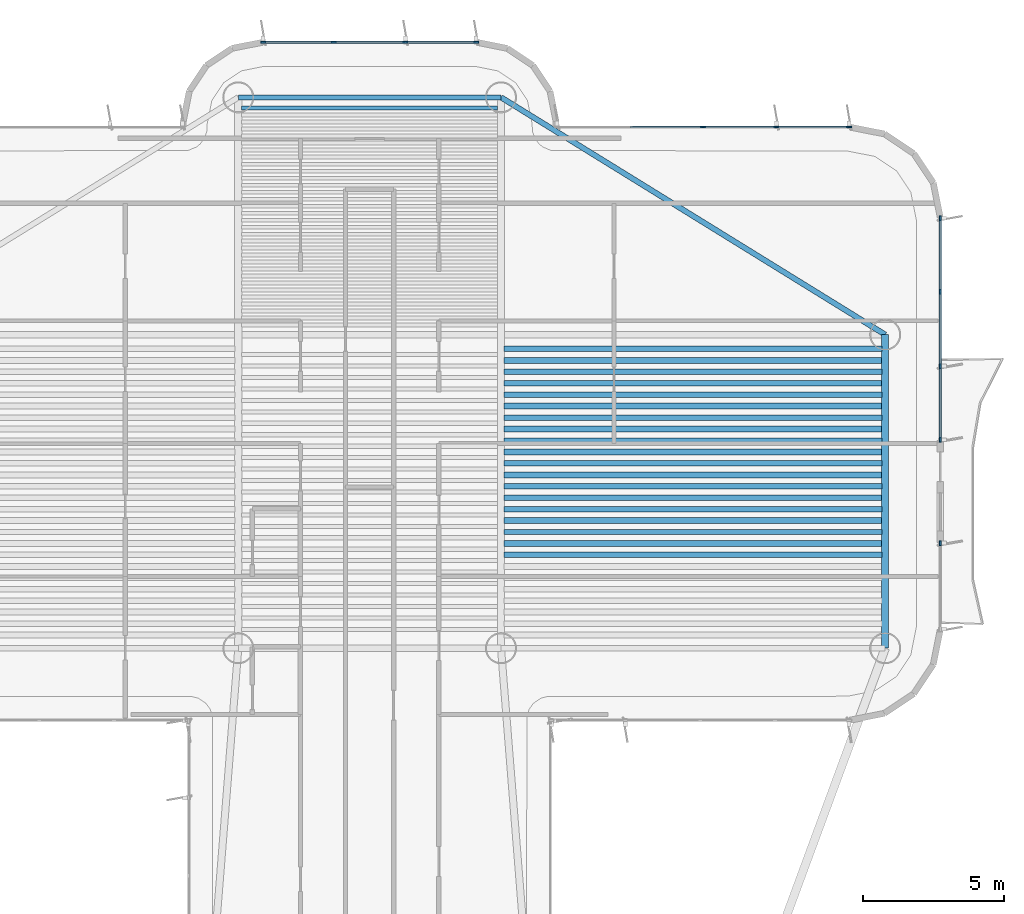
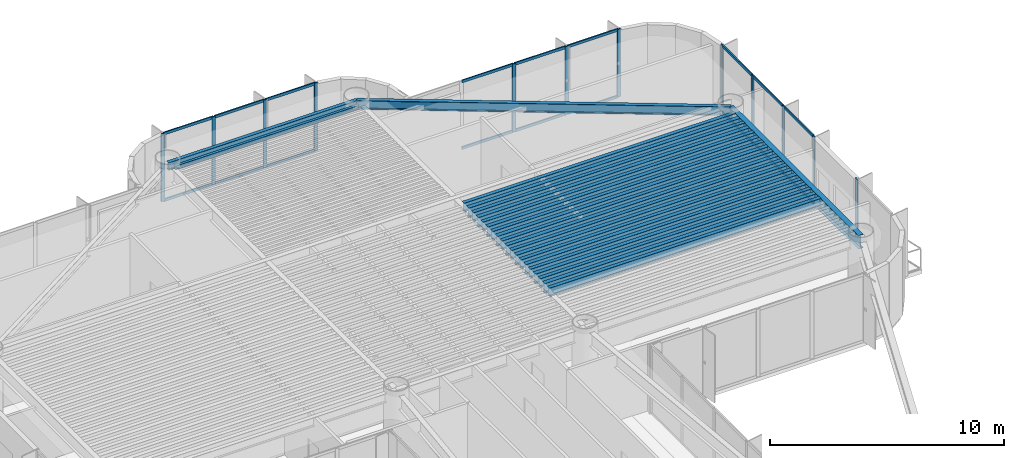
# One storey, part 7 of 14: 30 members, 23 beams, 4 elements without a shape of their own.
"""IFC4 building model written with IfcOpenShell, lengths in metres."""

from ifc_helpers import new_model, si_unit, direction, frame, origin, origin_2d, place, context, subcontext, project, spatial, rectangle, i_section, extrude, source, transform, mapped, material, layer, layer_set, material_profile, profile_set, type_object, element, aggregate, save


model = new_model("IFC4")

# Units and contexts
model_context = context("Model", 3, precision=1e-05, world=origin(), true_north=direction((0.0, 1.0)))
body_context = subcontext(model_context, "Body", "Model", "MODEL_VIEW")
ifc_project = project(units=[si_unit("LENGTHUNIT", "METRE"), si_unit("AREAUNIT", "SQUARE_METRE"), si_unit("VOLUMEUNIT", "CUBIC_METRE"), si_unit("PLANEANGLEUNIT", "RADIAN"), si_unit("MASSUNIT", "GRAM", prefix="KILO")], contexts=[model_context])

# Site, building, storey
site_placement = place(None, origin())
site = spatial("IfcSite", under=ifc_project, at=site_placement, CompositionType="ELEMENT")
building_placement = place(site_placement, origin())
building = spatial("IfcBuilding", under=site, at=building_placement, Name="Brelvock Crest Care Tower", CompositionType="ELEMENT")
storey_placement = place(building_placement, frame((0.0, 0.0, 194.219970703125)))
storey = spatial("IfcBuildingStorey", under=building, at=storey_placement, Name="L49", CompositionType="ELEMENT", Elevation=194.219970703125)

# Beams
ifc_material_1 = material(Name="Steel Grade 350", Category="steel")
ifc_material_profile_1 = material_profile(ifc_material_1, i_section(OverallWidth=0.177978515625, OverallDepth=0.406005859375, WebThickness=0.0078125, FlangeThickness=0.0126953125, FilletRadius=0.011474609375, at=origin_2d()), Name="410UB59.7")
ifc_profile_set_1 = profile_set([ifc_material_profile_1], Name="Steel Grade 350")
beam_type_1 = type_object("IfcBeamType", Name="BM-SP1", PredefinedType="SPANDREL", material=ifc_profile_set_1)
shared_shape_1 = source(origin(), body_context, "Body", "SweptSolid", [
    extrude(i_section(OverallWidth=0.177978515625, OverallDepth=0.406005859375, WebThickness=0.0078125, FlangeThickness=0.0126953125, FilletRadius=0.011474609375, at=origin_2d()), origin(), (0.0, 0.0, 1.0), 9.2998046875),
])
beam_1_placement = place(storey_placement, frame((31.35009765625, 54.449951171875, 3.3271484375), z_axis=(1.0, 0.0, 0.0), x_axis=(0.0, 1.0, 0.0)))
element("IfcBeam", 1, at=beam_1_placement, inside=storey, type_object=beam_type_1, Name="BM-TWR-L49-08", PredefinedType="SPANDREL", context=body_context, shape_type="MappedRepresentation", body=[
    mapped(shared_shape_1, transform((0.0, 0.0, 0.0), x_axis=(1.0, 0.0, 0.0), y_axis=(0.0, 1.0, 0.0), z_axis=(0.0, 0.0, 1.0), scale=1.0)),
])
ifc_material_profile_2 = material_profile(ifc_material_1, i_section(OverallWidth=0.134033203125, OverallDepth=0.20703125, WebThickness=0.00634765625, FlangeThickness=0.009521484375, FilletRadius=0.0087890625, at=origin_2d()), Name="200UB29.8")
ifc_profile_set_2 = profile_set([ifc_material_profile_2], Name="Steel Grade 350")
beam_type_2 = type_object("IfcBeamType", Name="BM-J4", PredefinedType="JOIST", material=ifc_profile_set_2)
shared_shape_2 = source(origin(), body_context, "Body", "SweptSolid", [
    extrude(i_section(OverallWidth=0.134033203125, OverallDepth=0.20703125, WebThickness=0.00634765625, FlangeThickness=0.009521484375, FilletRadius=0.0087890625, at=origin_2d()), origin(), (0.0, 0.0, 1.0), 9.06982421875),
])
beam_2_placement = place(storey_placement, frame((31.465087890625, 54.06787109375, 3.426513671875), z_axis=(1.0, 0.0, 0.0), x_axis=(0.0, 1.0, 0.0)))
element("IfcBeam", 2, at=beam_2_placement, inside=storey, type_object=beam_type_2, Name="BM-JN-L49-32", PredefinedType="JOIST", context=body_context, shape_type="MappedRepresentation", body=[
    mapped(shared_shape_2, transform((0.0, 0.0, 0.0), x_axis=(1.0, 0.0, 0.0), y_axis=(0.0, 1.0, 0.0), z_axis=(0.0, 0.0, 1.0), scale=1.0)),
])
ifc_material_profile_3 = material_profile(ifc_material_1, i_section(OverallWidth=0.208984375, OverallDepth=0.532958984375, WebThickness=0.01025390625, FlangeThickness=0.015625, FilletRadius=0.013916015625, at=origin_2d()), Name="530UB92.4")
ifc_profile_set_3 = profile_set([ifc_material_profile_3], Name="Steel Grade 350")
beam_type_3 = type_object("IfcBeamType", Name="BM-G2", PredefinedType="BEAM", material=ifc_profile_set_3)
shared_shape_3 = source(origin(), body_context, "Body", "SweptSolid", [
    extrude(i_section(OverallWidth=0.208984375, OverallDepth=0.532958984375, WebThickness=0.01025390625, FlangeThickness=0.015625, FilletRadius=0.013916015625, at=origin_2d()), origin(), (0.0, 0.0, 1.0), 13.3701171875),
])
for number, where, z_axis, x_axis, name in (
    (3, (40.764892578125, 38.657470703125, 3.263427734375), (1.0, 0.0, 0.0), (0.0, 1.0, 0.0), "BM-JE-L49-9"),
    (4, (40.764892578125, 39.4677734375, 3.263427734375), (1.0, 0.0, 0.0), (0.0, 1.0, 0.0), "BM-JE-L49-11"),
    (5, (40.764892578125, 40.278076171875, 3.263427734375), (1.0, 0.0, 0.0), (0.0, 1.0, 0.0), "BM-JE-L49-13"),
    (6, (40.764892578125, 41.08837890625, 3.263427734375), (1.0, 0.0, 0.0), (0.0, 1.0, 0.0), "BM-JE-L49-15"),
    (7, (40.764892578125, 41.898681640625, 3.263427734375), (1.0, 0.0, 0.0), (0.0, 1.0, 0.0), "BM-JE-L49-17"),
    (8, (40.764892578125, 42.708984375, 3.263427734375), (1.0, 0.0, 0.0), (0.0, 1.0, 0.0), "BM-JE-L49-19"),
    (9, (40.764892578125, 43.519287109375, 3.263427734375), (1.0, 0.0, 0.0), (0.0, 1.0, 0.0), "BM-JE-L49-21"),
    (10, (40.764892578125, 44.32958984375, 3.263427734375), (1.0, 0.0, 0.0), (0.0, 1.0, 0.0), "BM-JE-L49-23"),
    (11, (40.764892578125, 45.139892578125, 3.263427734375), (1.0, 0.0, 0.0), (0.0, 1.0, 0.0), "BM-JE-L49-25"),
):
    element("IfcBeam", number, at=place(storey_placement, frame(where, z_axis=z_axis, x_axis=x_axis)), inside=storey, type_object=beam_type_3, Name=name, PredefinedType="BEAM", context=body_context, shape_type="MappedRepresentation", body=[
        mapped(shared_shape_3, transform((0.0, 0.0, 0.0), x_axis=(1.0, 0.0, 0.0), y_axis=(0.0, 1.0, 0.0), z_axis=(0.0, 0.0, 1.0), scale=1.0)),
    ])
ifc_material_profile_4 = material_profile(ifc_material_1, i_section(OverallWidth=0.19091796875, OverallDepth=0.4599609375, WebThickness=0.010009765625, FlangeThickness=0.01611328125, FilletRadius=0.011474609375, at=origin_2d()), Name="460UB82.1")
ifc_profile_set_4 = profile_set([ifc_material_profile_4], Name="Steel Grade 350")
beam_type_4 = type_object("IfcBeamType", Name="BM-G3", PredefinedType="BEAM", material=ifc_profile_set_4)
shared_shape_4 = source(origin(), body_context, "Body", "SweptSolid", [
    extrude(i_section(OverallWidth=0.19091796875, OverallDepth=0.4599609375, WebThickness=0.010009765625, FlangeThickness=0.01611328125, FilletRadius=0.011474609375, at=origin_2d()), origin(), (0.0, 0.0, 1.0), 13.3701171875),
])
for number, where, z_axis, x_axis, name in (
    (12, (40.764892578125, 38.252197265625, 3.300048828125), (1.0, 0.0, 0.0), (0.0, 1.0, 0.0), "BM-JE-L49-8"),
    (13, (40.764892578125, 39.0625, 3.300048828125), (1.0, 0.0, 0.0), (0.0, 1.0, 0.0), "BM-JE-L49-10"),
    (14, (40.764892578125, 39.872802734375, 3.300048828125), (1.0, 0.0, 0.0), (0.0, 1.0, 0.0), "BM-JE-L49-12"),
    (15, (40.764892578125, 40.68310546875, 3.300048828125), (1.0, 0.0, 0.0), (0.0, 1.0, 0.0), "BM-JE-L49-14"),
    (16, (40.764892578125, 41.493408203125, 3.300048828125), (1.0, 0.0, 0.0), (0.0, 1.0, 0.0), "BM-JE-L49-16"),
    (17, (40.764892578125, 42.3037109375, 3.300048828125), (1.0, 0.0, 0.0), (0.0, 1.0, 0.0), "BM-JE-L49-18"),
    (18, (40.764892578125, 43.114013671875, 3.300048828125), (1.0, 0.0, 0.0), (0.0, 1.0, 0.0), "BM-JE-L49-20"),
    (19, (40.764892578125, 43.92431640625, 3.300048828125), (1.0, 0.0, 0.0), (0.0, 1.0, 0.0), "BM-JE-L49-22"),
    (20, (40.764892578125, 44.734619140625, 3.300048828125), (1.0, 0.0, 0.0), (0.0, 1.0, 0.0), "BM-JE-L49-24"),
    (21, (40.764892578125, 45.544921875, 3.300048828125), (1.0, 0.0, 0.0), (0.0, 1.0, 0.0), "BM-JE-L49-26"),
):
    element("IfcBeam", number, at=place(storey_placement, frame(where, z_axis=z_axis, x_axis=x_axis)), inside=storey, type_object=beam_type_4, Name=name, PredefinedType="BEAM", context=body_context, shape_type="MappedRepresentation", body=[
        mapped(shared_shape_4, transform((0.0, 0.0, 0.0), x_axis=(1.0, 0.0, 0.0), y_axis=(0.0, 1.0, 0.0), z_axis=(0.0, 0.0, 1.0), scale=1.0)),
    ])
ifc_material_profile_5 = material_profile(ifc_material_1, i_section(OverallWidth=0.25, OverallDepth=0.699951171875, WebThickness=0.011962890625, FlangeThickness=0.02001953125, at=origin_2d()), Name="700WB150")
ifc_profile_set_5 = profile_set([ifc_material_profile_5], Name="Steel Grade 350")
beam_type_5 = type_object("IfcBeamType", Name="BM-G4", PredefinedType="BEAM", material=ifc_profile_set_5)
shared_shape_5 = source(origin(), body_context, "Body", "SweptSolid", [
    extrude(i_section(OverallWidth=0.25, OverallDepth=0.699951171875, WebThickness=0.011962890625, FlangeThickness=0.02001953125, at=origin_2d()), origin(), (0.0, 0.0, 1.0), 11.10009765625),
])
beam_3_placement = place(storey_placement, frame((54.25, 34.949951171875, 3.179931640625), z_axis=(0.0, 1.0, 0.0), x_axis=(-1.0, 0.0, 0.0)))
element("IfcBeam", 22, at=beam_3_placement, inside=storey, type_object=beam_type_5, Name="BM-TWR-L49-02", PredefinedType="BEAM", context=body_context, shape_type="MappedRepresentation", body=[
    mapped(shared_shape_5, transform((0.0, 0.0, 0.0), x_axis=(1.0, 0.0, 0.0), y_axis=(0.0, 1.0, 0.0), z_axis=(0.0, 0.0, 1.0), scale=1.0)),
])
ifc_material_profile_6 = material_profile(ifc_material_1, i_section(OverallWidth=0.19091796875, OverallDepth=0.4599609375, WebThickness=0.010009765625, FlangeThickness=0.01611328125, FilletRadius=0.011474609375, at=origin_2d()), Name="460UB82.1")
ifc_profile_set_6 = profile_set([ifc_material_profile_6], Name="Steel Grade 350")
beam_type_6 = type_object("IfcBeamType", Name="BM-SP2", PredefinedType="SPANDREL", material=ifc_profile_set_6)
shared_shape_6 = source(origin(), body_context, "Body", "SweptSolid", [
    extrude(i_section(OverallWidth=0.19091796875, OverallDepth=0.4599609375, WebThickness=0.010009765625, FlangeThickness=0.01611328125, FilletRadius=0.011474609375, at=origin_2d()), origin(), (0.0, 0.0, 1.0), 15.985107421875),
])
beam_4_placement = place(storey_placement, frame((40.64990234375, 54.449951171875, 3.300048828125), z_axis=(0.850802415717, -0.525485727124, 0.0), x_axis=(0.525485727124, 0.850802415717, 0.0)))
element("IfcBeam", 23, at=beam_4_placement, inside=storey, type_object=beam_type_6, Name="BM-TWR-L49-07", PredefinedType="SPANDREL", context=body_context, shape_type="MappedRepresentation", body=[
    mapped(shared_shape_6, transform((0.0, 0.0, 0.0), x_axis=(1.0, 0.0, 0.0), y_axis=(0.0, 1.0, 0.0), z_axis=(0.0, 0.0, 1.0), scale=1.0)),
])

# Curtain wall, members
ifc_material_2 = material(Name="Dark Glass Double Glazed Low-E", Category="glass")
ifc_layer = layer(ifc_material_2, 0.22509765625, Name="CWS-4")
ifc_layer_set = layer_set([ifc_layer], Name="Dark Glass Double Glazed Low-E")
curtain_wall_type = type_object("IfcCurtainWallType", Name="CWS-4", PredefinedType="NOTDEFINED", material=ifc_layer_set)
curtain_wall_1_placement = place(storey_placement, origin())
curtain_wall_1 = element("IfcCurtainWall", 24, at=curtain_wall_1_placement, inside=storey, type_object=curtain_wall_type, Name="L49 Curtain Wall E28", PredefinedType="NOTDEFINED")
ifc_material_3 = material(Name="Aluminium 6063-T6", Category="aluminium")
ifc_material_profile_7 = material_profile(ifc_material_3, rectangle(XDim=0.06005859375, YDim=0.179931640625, at=origin_2d()), Name="ALU60x180")
ifc_profile_set_7 = profile_set([ifc_material_profile_7], Name="Aluminium 6063-T6")
member_type_1 = type_object("IfcMemberType", Name="CWM-2", PredefinedType="MULLION", material=ifc_profile_set_7)
shared_shape_7 = source(origin(), body_context, "Body", "SweptSolid", [
    extrude(rectangle(XDim=0.06005859375, YDim=0.179931640625, at=origin_2d()), origin(), (0.0, 0.0, 1.0), 3.530029296875),
])
member_1_placement = place(storey_placement, frame((32.22998046875, 56.39990234375, 0.0), z_axis=(0.0, 0.0, 1.0), x_axis=(0.0, 1.0, 0.0)))
member_1 = element("IfcMember", 25, at=member_1_placement, type_object=member_type_1, Name="CW-4 mullion 1", PredefinedType="MULLION", context=body_context, shape_type="MappedRepresentation", body=[
    mapped(shared_shape_7, transform((0.0, 0.0, 0.0), x_axis=(1.0, 0.0, 0.0), y_axis=(0.0, 1.0, 0.0), z_axis=(0.0, 0.0, 1.0), scale=1.0)),
])
member_2_placement = place(storey_placement, frame((34.7333984375, 56.39990234375, 0.0), z_axis=(0.0, 0.0, 1.0), x_axis=(0.0, 1.0, 0.0)))
member_2 = element("IfcMember", 26, at=member_2_placement, type_object=member_type_1, Name="CW-4 mullion 2", PredefinedType="MULLION", context=body_context, shape_type="MappedRepresentation", body=[
    mapped(shared_shape_7, transform((0.0, 0.0, 0.0), x_axis=(1.0, 0.0, 0.0), y_axis=(0.0, 1.0, 0.0), z_axis=(0.0, 0.0, 1.0), scale=1.0)),
])
member_3_placement = place(storey_placement, frame((37.2666015625, 56.39990234375, 0.0), z_axis=(0.0, 0.0, 1.0), x_axis=(0.0, 1.0, 0.0)))
member_3 = element("IfcMember", 27, at=member_3_placement, type_object=member_type_1, Name="CW-4 mullion 3", PredefinedType="MULLION", context=body_context, shape_type="MappedRepresentation", body=[
    mapped(shared_shape_7, transform((0.0, 0.0, 0.0), x_axis=(1.0, 0.0, 0.0), y_axis=(0.0, 1.0, 0.0), z_axis=(0.0, 0.0, 1.0), scale=1.0)),
])
member_4_placement = place(storey_placement, frame((39.77001953125, 56.39990234375, 0.0), z_axis=(0.0, 0.0, 1.0), x_axis=(0.0, 1.0, 0.0)))
member_4 = element("IfcMember", 28, at=member_4_placement, type_object=member_type_1, Name="CW-4 mullion 4", PredefinedType="MULLION", context=body_context, shape_type="MappedRepresentation", body=[
    mapped(shared_shape_7, transform((0.0, 0.0, 0.0), x_axis=(1.0, 0.0, 0.0), y_axis=(0.0, 1.0, 0.0), z_axis=(0.0, 0.0, 1.0), scale=1.0)),
])

curtain_wall_2_placement = place(storey_placement, origin())
curtain_wall_2 = element("IfcCurtainWall", 29, at=curtain_wall_2_placement, inside=storey, type_object=curtain_wall_type, Name="L49 Curtain Wall E34", PredefinedType="NOTDEFINED")
member_5_placement = place(storey_placement, frame((47.800048828125, 53.39990234375, 0.0), z_axis=(0.0, 0.0, 1.0), x_axis=(0.0, 1.0, 0.0)))
member_5 = element("IfcMember", 30, at=member_5_placement, type_object=member_type_1, Name="CW-4 mullion 3", PredefinedType="MULLION", context=body_context, shape_type="MappedRepresentation", body=[
    mapped(shared_shape_7, transform((0.0, 0.0, 0.0), x_axis=(1.0, 0.0, 0.0), y_axis=(0.0, 1.0, 0.0), z_axis=(0.0, 0.0, 1.0), scale=1.0)),
])
member_6_placement = place(storey_placement, frame((50.39990234375, 53.39990234375, 0.0), z_axis=(0.0, 0.0, 1.0), x_axis=(0.0, 1.0, 0.0)))
member_6 = element("IfcMember", 31, at=member_6_placement, type_object=member_type_1, Name="CW-4 mullion 4", PredefinedType="MULLION", context=body_context, shape_type="MappedRepresentation", body=[
    mapped(shared_shape_7, transform((0.0, 0.0, 0.0), x_axis=(1.0, 0.0, 0.0), y_axis=(0.0, 1.0, 0.0), z_axis=(0.0, 0.0, 1.0), scale=1.0)),
])
member_7_placement = place(storey_placement, frame((52.969970703125, 53.39990234375, 0.0), z_axis=(0.0, 0.0, 1.0), x_axis=(0.0, 1.0, 0.0)))
member_7 = element("IfcMember", 32, at=member_7_placement, type_object=member_type_1, Name="CW-4 mullion 5", PredefinedType="MULLION", context=body_context, shape_type="MappedRepresentation", body=[
    mapped(shared_shape_7, transform((0.0, 0.0, 0.0), x_axis=(1.0, 0.0, 0.0), y_axis=(0.0, 1.0, 0.0), z_axis=(0.0, 0.0, 1.0), scale=1.0)),
])

curtain_wall_3_placement = place(storey_placement, origin())
curtain_wall_3 = element("IfcCurtainWall", 33, at=curtain_wall_3_placement, inside=storey, type_object=curtain_wall_type, Name="L49 Curtain Wall E39A", PredefinedType="NOTDEFINED")
member_8_placement = place(storey_placement, frame((56.199951171875, 50.169921875, 0.0), z_axis=(0.0, 0.0, 1.0), x_axis=(1.0, 0.0, 0.0)))
member_8 = element("IfcMember", 34, at=member_8_placement, type_object=member_type_1, Name="CW-4 mullion 1", PredefinedType="MULLION", context=body_context, shape_type="MappedRepresentation", body=[
    mapped(shared_shape_7, transform((0.0, 0.0, 0.0), x_axis=(1.0, 0.0, 0.0), y_axis=(0.0, 1.0, 0.0), z_axis=(0.0, 0.0, 1.0), scale=1.0)),
])
member_9_placement = place(storey_placement, frame((56.199951171875, 47.566650390625, 0.0), z_axis=(0.0, 0.0, 1.0), x_axis=(1.0, 0.0, 0.0)))
member_9 = element("IfcMember", 35, at=member_9_placement, type_object=member_type_1, Name="CW-4 mullion 2", PredefinedType="MULLION", context=body_context, shape_type="MappedRepresentation", body=[
    mapped(shared_shape_7, transform((0.0, 0.0, 0.0), x_axis=(1.0, 0.0, 0.0), y_axis=(0.0, 1.0, 0.0), z_axis=(0.0, 0.0, 1.0), scale=1.0)),
])
member_10_placement = place(storey_placement, frame((56.199951171875, 44.933349609375, 0.0), z_axis=(0.0, 0.0, 1.0), x_axis=(1.0, 0.0, 0.0)))
member_10 = element("IfcMember", 36, at=member_10_placement, type_object=member_type_1, Name="CW-4 mullion 3", PredefinedType="MULLION", context=body_context, shape_type="MappedRepresentation", body=[
    mapped(shared_shape_7, transform((0.0, 0.0, 0.0), x_axis=(1.0, 0.0, 0.0), y_axis=(0.0, 1.0, 0.0), z_axis=(0.0, 0.0, 1.0), scale=1.0)),
])
member_11_placement = place(storey_placement, frame((56.199951171875, 42.330078125, 0.0), z_axis=(0.0, 0.0, 1.0), x_axis=(1.0, 0.0, 0.0)))
member_11 = element("IfcMember", 37, at=member_11_placement, type_object=member_type_1, Name="CW-4 mullion 4", PredefinedType="MULLION", context=body_context, shape_type="MappedRepresentation", body=[
    mapped(shared_shape_7, transform((0.0, 0.0, 0.0), x_axis=(1.0, 0.0, 0.0), y_axis=(0.0, 1.0, 0.0), z_axis=(0.0, 0.0, 1.0), scale=1.0)),
])

# Curtain wall, member
curtain_wall_4_placement = place(storey_placement, origin())
curtain_wall_4 = element("IfcCurtainWall", 38, at=curtain_wall_4_placement, inside=storey, type_object=curtain_wall_type, Name="L49 Curtain Wall E39B", PredefinedType="NOTDEFINED")
member_12_placement = place(storey_placement, frame((56.199951171875, 38.669921875, 0.0), z_axis=(0.0, 0.0, 1.0), x_axis=(1.0, 0.0, 0.0)))
member_12 = element("IfcMember", 39, at=member_12_placement, type_object=member_type_1, Name="CW-4 mullion 1", PredefinedType="MULLION", context=body_context, shape_type="MappedRepresentation", body=[
    mapped(shared_shape_7, transform((0.0, 0.0, 0.0), x_axis=(1.0, 0.0, 0.0), y_axis=(0.0, 1.0, 0.0), z_axis=(0.0, 0.0, 1.0), scale=1.0)),
])
aggregate(curtain_wall_4, [member_12])

# Member
ifc_material_profile_8 = material_profile(ifc_material_3, rectangle(XDim=0.06005859375, YDim=0.139892578125, at=origin_2d()), Name="ALU60x140")
ifc_profile_set_8 = profile_set([ifc_material_profile_8], Name="Aluminium 6063-T6")
member_type_2 = type_object("IfcMemberType", Name="CWT-2", PredefinedType="USERDEFINED", material=ifc_profile_set_8)
shared_shape_8 = source(origin(), body_context, "Body", "SweptSolid", [
    extrude(rectangle(XDim=0.06005859375, YDim=0.139892578125, at=origin_2d()), origin(), (0.0, 0.0, 1.0), 2.443359375),
])
member_13_placement = place(storey_placement, frame((32.260009765625, 56.39990234375, 0.030029296875), z_axis=(1.0, 0.0, 0.0), x_axis=(0.0, 1.0, 0.0)))
member_13 = element("IfcMember", 40, at=member_13_placement, type_object=member_type_2, Name="CW-4 transom 1.1", ObjectType="TRANSOM", PredefinedType="USERDEFINED", context=body_context, shape_type="MappedRepresentation", body=[
    mapped(shared_shape_8, transform((0.0, 0.0, 0.0), x_axis=(1.0, 0.0, 0.0), y_axis=(0.0, 1.0, 0.0), z_axis=(0.0, 0.0, 1.0), scale=1.0)),
])

member_14_placement = place(storey_placement, frame((32.260009765625, 56.39990234375, 3.5), z_axis=(1.0, 0.0, 0.0), x_axis=(0.0, 1.0, 0.0)))
member_14 = element("IfcMember", 41, at=member_14_placement, type_object=member_type_2, Name="CW-4 transom 1.2", ObjectType="TRANSOM", PredefinedType="USERDEFINED", context=body_context, shape_type="MappedRepresentation", body=[
    mapped(shared_shape_8, transform((0.0, 0.0, 0.0), x_axis=(1.0, 0.0, 0.0), y_axis=(0.0, 1.0, 0.0), z_axis=(0.0, 0.0, 1.0), scale=1.0)),
])

member_15_placement = place(storey_placement, frame((37.296630859375, 56.39990234375, 0.030029296875), z_axis=(1.0, 0.0, 0.0), x_axis=(0.0, 1.0, 0.0)))
member_15 = element("IfcMember", 42, at=member_15_placement, type_object=member_type_2, Name="CW-4 transom 3.1", ObjectType="TRANSOM", PredefinedType="USERDEFINED", context=body_context, shape_type="MappedRepresentation", body=[
    mapped(shared_shape_8, transform((0.0, 0.0, 0.0), x_axis=(1.0, 0.0, 0.0), y_axis=(0.0, 1.0, 0.0), z_axis=(0.0, 0.0, 1.0), scale=1.0)),
])

member_16_placement = place(storey_placement, frame((37.296630859375, 56.39990234375, 3.5), z_axis=(1.0, 0.0, 0.0), x_axis=(0.0, 1.0, 0.0)))
member_16 = element("IfcMember", 43, at=member_16_placement, type_object=member_type_2, Name="CW-4 transom 3.2", ObjectType="TRANSOM", PredefinedType="USERDEFINED", context=body_context, shape_type="MappedRepresentation", body=[
    mapped(shared_shape_8, transform((0.0, 0.0, 0.0), x_axis=(1.0, 0.0, 0.0), y_axis=(0.0, 1.0, 0.0), z_axis=(0.0, 0.0, 1.0), scale=1.0)),
])

shared_shape_9 = source(origin(), body_context, "Body", "SweptSolid", [
    extrude(rectangle(XDim=0.06005859375, YDim=0.139892578125, at=origin_2d()), origin(), (0.0, 0.0, 1.0), 2.47314453125),
])
member_17_placement = place(storey_placement, frame((34.763427734375, 56.39990234375, 0.030029296875), z_axis=(1.0, 0.0, 0.0), x_axis=(0.0, 1.0, 0.0)))
member_17 = element("IfcMember", 44, at=member_17_placement, type_object=member_type_2, Name="CW-4 transom 2.1", ObjectType="TRANSOM", PredefinedType="USERDEFINED", context=body_context, shape_type="MappedRepresentation", body=[
    mapped(shared_shape_9, transform((0.0, 0.0, 0.0), x_axis=(1.0, 0.0, 0.0), y_axis=(0.0, 1.0, 0.0), z_axis=(0.0, 0.0, 1.0), scale=1.0)),
])

member_18_placement = place(storey_placement, frame((34.763427734375, 56.39990234375, 3.5), z_axis=(1.0, 0.0, 0.0), x_axis=(0.0, 1.0, 0.0)))
member_18 = element("IfcMember", 45, at=member_18_placement, type_object=member_type_2, Name="CW-4 transom 2.2", ObjectType="TRANSOM", PredefinedType="USERDEFINED", context=body_context, shape_type="MappedRepresentation", body=[
    mapped(shared_shape_9, transform((0.0, 0.0, 0.0), x_axis=(1.0, 0.0, 0.0), y_axis=(0.0, 1.0, 0.0), z_axis=(0.0, 0.0, 1.0), scale=1.0)),
])

aggregate(curtain_wall_1, [member_1, member_2, member_3, member_4, member_13, member_14, member_17, member_18, member_15, member_16])

shared_shape_10 = source(origin(), body_context, "Body", "SweptSolid", [
    extrude(rectangle(XDim=0.06005859375, YDim=0.139892578125, at=origin_2d()), origin(), (0.0, 0.0, 1.0), 2.510009765625),
])
member_19_placement = place(storey_placement, frame((50.429931640625, 53.39990234375, 0.030029296875), z_axis=(1.0, 0.0, 0.0), x_axis=(0.0, 1.0, 0.0)))
member_19 = element("IfcMember", 46, at=member_19_placement, type_object=member_type_2, Name="CW-4 transom 4.1", ObjectType="TRANSOM", PredefinedType="USERDEFINED", context=body_context, shape_type="MappedRepresentation", body=[
    mapped(shared_shape_10, transform((0.0, 0.0, 0.0), x_axis=(1.0, 0.0, 0.0), y_axis=(0.0, 1.0, 0.0), z_axis=(0.0, 0.0, 1.0), scale=1.0)),
])

member_20_placement = place(storey_placement, frame((50.429931640625, 53.39990234375, 3.5), z_axis=(1.0, 0.0, 0.0), x_axis=(0.0, 1.0, 0.0)))
member_20 = element("IfcMember", 47, at=member_20_placement, type_object=member_type_2, Name="CW-4 transom 4.2", ObjectType="TRANSOM", PredefinedType="USERDEFINED", context=body_context, shape_type="MappedRepresentation", body=[
    mapped(shared_shape_10, transform((0.0, 0.0, 0.0), x_axis=(1.0, 0.0, 0.0), y_axis=(0.0, 1.0, 0.0), z_axis=(0.0, 0.0, 1.0), scale=1.0)),
])

shared_shape_11 = source(origin(), body_context, "Body", "SweptSolid", [
    extrude(rectangle(XDim=0.06005859375, YDim=0.139892578125, at=origin_2d()), origin(), (0.0, 0.0, 1.0), 2.5400390625),
])
member_21_placement = place(storey_placement, frame((45.22998046875, 53.39990234375, 0.030029296875), z_axis=(1.0, 0.0, 0.0), x_axis=(0.0, 1.0, 0.0)))
member_21 = element("IfcMember", 48, at=member_21_placement, type_object=member_type_2, Name="CW-4 transom 2.1", ObjectType="TRANSOM", PredefinedType="USERDEFINED", context=body_context, shape_type="MappedRepresentation", body=[
    mapped(shared_shape_11, transform((0.0, 0.0, 0.0), x_axis=(1.0, 0.0, 0.0), y_axis=(0.0, 1.0, 0.0), z_axis=(0.0, 0.0, 1.0), scale=1.0)),
])

member_22_placement = place(storey_placement, frame((45.22998046875, 53.39990234375, 3.5), z_axis=(1.0, 0.0, 0.0), x_axis=(0.0, 1.0, 0.0)))
member_22 = element("IfcMember", 49, at=member_22_placement, type_object=member_type_2, Name="CW-4 transom 2.2", ObjectType="TRANSOM", PredefinedType="USERDEFINED", context=body_context, shape_type="MappedRepresentation", body=[
    mapped(shared_shape_11, transform((0.0, 0.0, 0.0), x_axis=(1.0, 0.0, 0.0), y_axis=(0.0, 1.0, 0.0), z_axis=(0.0, 0.0, 1.0), scale=1.0)),
])

member_23_placement = place(storey_placement, frame((47.830078125, 53.39990234375, 0.030029296875), z_axis=(1.0, 0.0, 0.0), x_axis=(0.0, 1.0, 0.0)))
member_23 = element("IfcMember", 50, at=member_23_placement, type_object=member_type_2, Name="CW-4 transom 3.1", ObjectType="TRANSOM", PredefinedType="USERDEFINED", context=body_context, shape_type="MappedRepresentation", body=[
    mapped(shared_shape_11, transform((0.0, 0.0, 0.0), x_axis=(1.0, 0.0, 0.0), y_axis=(0.0, 1.0, 0.0), z_axis=(0.0, 0.0, 1.0), scale=1.0)),
])

member_24_placement = place(storey_placement, frame((47.830078125, 53.39990234375, 3.5), z_axis=(1.0, 0.0, 0.0), x_axis=(0.0, 1.0, 0.0)))
member_24 = element("IfcMember", 51, at=member_24_placement, type_object=member_type_2, Name="CW-4 transom 3.2", ObjectType="TRANSOM", PredefinedType="USERDEFINED", context=body_context, shape_type="MappedRepresentation", body=[
    mapped(shared_shape_11, transform((0.0, 0.0, 0.0), x_axis=(1.0, 0.0, 0.0), y_axis=(0.0, 1.0, 0.0), z_axis=(0.0, 0.0, 1.0), scale=1.0)),
])

aggregate(curtain_wall_2, [member_5, member_6, member_7, member_21, member_22, member_23, member_24, member_19, member_20])

shared_shape_12 = source(origin(), body_context, "Body", "SweptSolid", [
    extrude(rectangle(XDim=0.06005859375, YDim=0.139892578125, at=origin_2d()), origin(), (0.0, 0.0, 1.0), 2.543212890625),
])
member_25_placement = place(storey_placement, frame((56.199951171875, 50.139892578125, 0.030029296875), z_axis=(0.0, -1.0, 0.0), x_axis=(1.0, 0.0, 0.0)))
member_25 = element("IfcMember", 52, at=member_25_placement, type_object=member_type_2, Name="CW-4 transom 1.1", ObjectType="TRANSOM", PredefinedType="USERDEFINED", context=body_context, shape_type="MappedRepresentation", body=[
    mapped(shared_shape_12, transform((0.0, 0.0, 0.0), x_axis=(1.0, 0.0, 0.0), y_axis=(0.0, 1.0, 0.0), z_axis=(0.0, 0.0, 1.0), scale=1.0)),
])

member_26_placement = place(storey_placement, frame((56.199951171875, 50.139892578125, 3.5), z_axis=(0.0, -1.0, 0.0), x_axis=(1.0, 0.0, 0.0)))
member_26 = element("IfcMember", 53, at=member_26_placement, type_object=member_type_2, Name="CW-4 transom 1.2", ObjectType="TRANSOM", PredefinedType="USERDEFINED", context=body_context, shape_type="MappedRepresentation", body=[
    mapped(shared_shape_12, transform((0.0, 0.0, 0.0), x_axis=(1.0, 0.0, 0.0), y_axis=(0.0, 1.0, 0.0), z_axis=(0.0, 0.0, 1.0), scale=1.0)),
])

member_27_placement = place(storey_placement, frame((56.199951171875, 44.9033203125, 0.030029296875), z_axis=(0.0, -1.0, 0.0), x_axis=(1.0, 0.0, 0.0)))
member_27 = element("IfcMember", 54, at=member_27_placement, type_object=member_type_2, Name="CW-4 transom 3.1", ObjectType="TRANSOM", PredefinedType="USERDEFINED", context=body_context, shape_type="MappedRepresentation", body=[
    mapped(shared_shape_12, transform((0.0, 0.0, 0.0), x_axis=(1.0, 0.0, 0.0), y_axis=(0.0, 1.0, 0.0), z_axis=(0.0, 0.0, 1.0), scale=1.0)),
])

member_28_placement = place(storey_placement, frame((56.199951171875, 44.9033203125, 3.5), z_axis=(0.0, -1.0, 0.0), x_axis=(1.0, 0.0, 0.0)))
member_28 = element("IfcMember", 55, at=member_28_placement, type_object=member_type_2, Name="CW-4 transom 3.2", ObjectType="TRANSOM", PredefinedType="USERDEFINED", context=body_context, shape_type="MappedRepresentation", body=[
    mapped(shared_shape_12, transform((0.0, 0.0, 0.0), x_axis=(1.0, 0.0, 0.0), y_axis=(0.0, 1.0, 0.0), z_axis=(0.0, 0.0, 1.0), scale=1.0)),
])

shared_shape_13 = source(origin(), body_context, "Body", "SweptSolid", [
    extrude(rectangle(XDim=0.06005859375, YDim=0.139892578125, at=origin_2d()), origin(), (0.0, 0.0, 1.0), 2.5732421875),
])
member_29_placement = place(storey_placement, frame((56.199951171875, 47.53662109375, 0.030029296875), z_axis=(0.0, -1.0, 0.0), x_axis=(1.0, 0.0, 0.0)))
member_29 = element("IfcMember", 56, at=member_29_placement, type_object=member_type_2, Name="CW-4 transom 2.1", ObjectType="TRANSOM", PredefinedType="USERDEFINED", context=body_context, shape_type="MappedRepresentation", body=[
    mapped(shared_shape_13, transform((0.0, 0.0, 0.0), x_axis=(1.0, 0.0, 0.0), y_axis=(0.0, 1.0, 0.0), z_axis=(0.0, 0.0, 1.0), scale=1.0)),
])

member_30_placement = place(storey_placement, frame((56.199951171875, 47.53662109375, 3.5), z_axis=(0.0, -1.0, 0.0), x_axis=(1.0, 0.0, 0.0)))
member_30 = element("IfcMember", 57, at=member_30_placement, type_object=member_type_2, Name="CW-4 transom 2.2", ObjectType="TRANSOM", PredefinedType="USERDEFINED", context=body_context, shape_type="MappedRepresentation", body=[
    mapped(shared_shape_13, transform((0.0, 0.0, 0.0), x_axis=(1.0, 0.0, 0.0), y_axis=(0.0, 1.0, 0.0), z_axis=(0.0, 0.0, 1.0), scale=1.0)),
])

aggregate(curtain_wall_3, [member_8, member_9, member_10, member_11, member_25, member_26, member_29, member_30, member_27, member_28])

save(model, "model.ifc")
